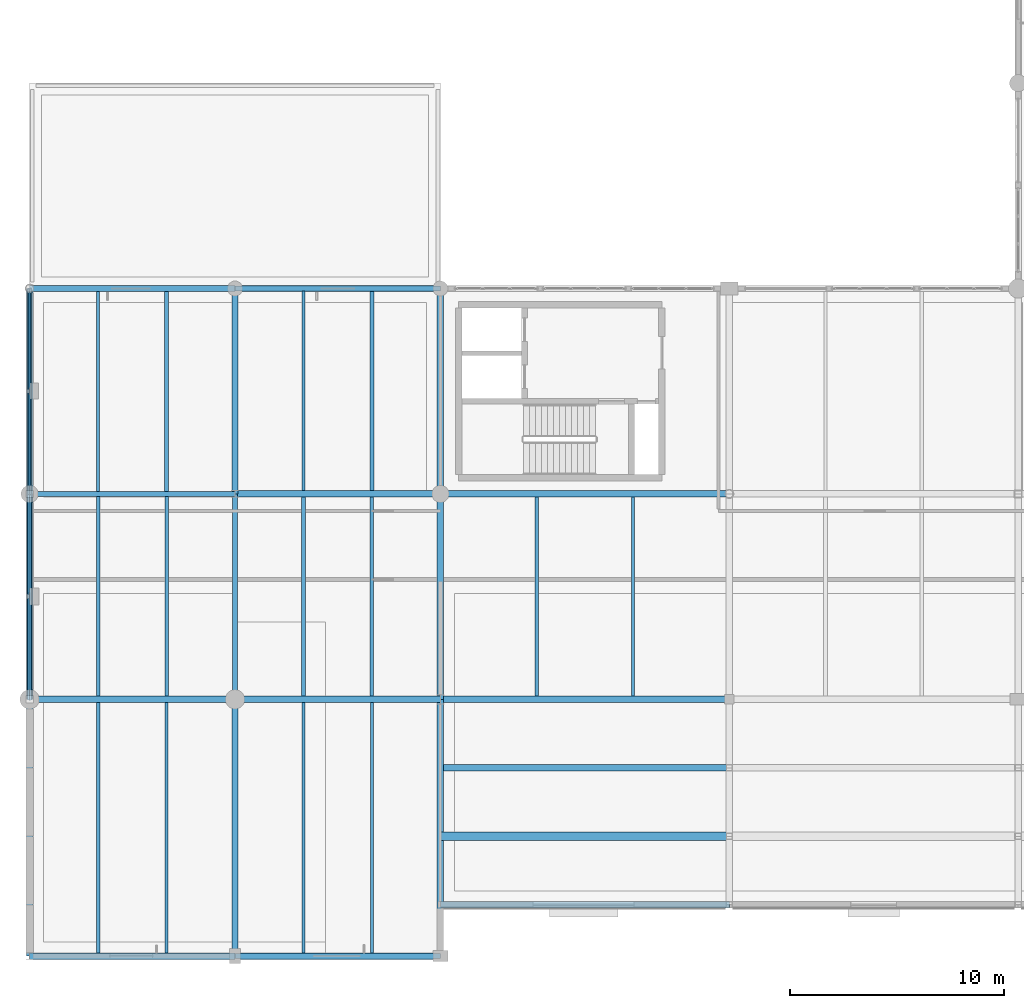
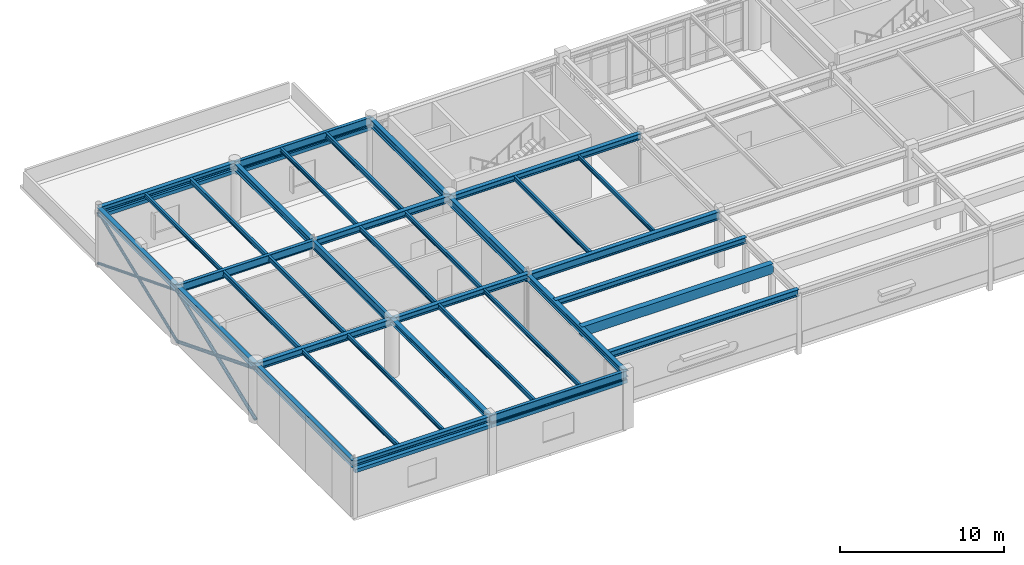
# One storey, part 6 of 61: 40 beams, 6 members.
"""IFC4 building model written with IfcOpenShell, lengths in metres."""

from ifc_helpers import new_model, si_unit, direction, frame, origin, origin_2d, place, context, subcontext, project, spatial, rectangle, hollow_circle, i_section, extrude, material, material_profile, profile_set, type_object, element, save


model = new_model("IFC4")

# Units and contexts
model_context = context("Model", 3, precision=1e-05, world=origin(), true_north=direction((0.0, 1.0)))
body_context = subcontext(model_context, "Body", "Model", "MODEL_VIEW")
ifc_project = project(units=[si_unit("LENGTHUNIT", "METRE"), si_unit("AREAUNIT", "SQUARE_METRE"), si_unit("VOLUMEUNIT", "CUBIC_METRE"), si_unit("PLANEANGLEUNIT", "RADIAN"), si_unit("MASSUNIT", "GRAM", prefix="KILO")], contexts=[model_context])

# Site, building, storey
site_placement = place(None, origin())
site = spatial("IfcSite", under=ifc_project, at=site_placement, CompositionType="ELEMENT")
building_placement = place(site_placement, origin())
building = spatial("IfcBuilding", under=site, at=building_placement, Name="Fikremerkos Civic Library", CompositionType="ELEMENT")
storey_placement = place(building_placement, frame((0.0, 0.0, 14.39990234375)))
storey = spatial("IfcBuildingStorey", under=building, at=storey_placement, Name="L03", CompositionType="ELEMENT", Elevation=14.39990234375)

# Members
ifc_material_1 = material(Name="Steel S355", Category="steel")
ifc_material_profile_1 = material_profile(ifc_material_1, hollow_circle(Radius=0.122314453125, WallThickness=0.012451171875, at=origin_2d()), Name="CHS 244.5x12.5")
ifc_profile_set_1 = profile_set([ifc_material_profile_1], Name="Steel S355")
member_type_1 = type_object("IfcMemberType", Name="Diagonal brace BRC-04 CHS 244.5x12.5", PredefinedType="BRACE", material=ifc_profile_set_1)
member_1_placement = place(storey_placement, frame((0.0, 12.0, 0.0), z_axis=(0.0, 0.930137787751, 0.367210696736), x_axis=(-1.0, 0.0, 0.0)))
element("IfcMember", 1, at=member_1_placement, inside=storey, type_object=member_type_1, Name="Lateral X-brace continuous diagonal BRC-04 L03 #11", PredefinedType="BRACE", context=body_context, shape_type="SweptSolid", body=[
    extrude(hollow_circle(Radius=0.122314453125, WallThickness=0.012451171875, at=origin_2d()), origin(), (0.0, 0.0, 1.0), 10.321044921875),
])
for number, where, z_axis, x_axis, name in (
    (2, (0.0, 21.60009765625, 0.0), (0.0, -0.930140797777, 0.367203072307), (1.0, 0.0, 0.0), "Lateral X-brace split lower segment BRC-04 L03 #11"),
    (3, (0.0, 16.669677734375, 1.946533203125), (0.0, -0.930140797777, 0.367203072307), (1.0, 0.0, 0.0), "Lateral X-brace split upper segment BRC-04 L03 #11"),
):
    element("IfcMember", number, at=place(storey_placement, frame(where, z_axis=z_axis, x_axis=x_axis)), inside=storey, type_object=member_type_1, Name=name, PredefinedType="BRACE", context=body_context, shape_type="SweptSolid", body=[
        extrude(hollow_circle(Radius=0.122314453125, WallThickness=0.012451171875, at=origin_2d()), origin(), (0.0, 0.0, 1.0), 5.0205078125),
    ])
ifc_material_profile_2 = material_profile(ifc_material_1, hollow_circle(Radius=0.096923828125, WallThickness=0.010009765625, at=origin_2d()), Name="CHS 193.7x10")
ifc_profile_set_2 = profile_set([ifc_material_profile_2], Name="Steel S355")
member_type_2 = type_object("IfcMemberType", Name="Diagonal brace BRC-05 CHS 193.7x10", PredefinedType="BRACE", material=ifc_profile_set_2)
member_2_placement = place(storey_placement, frame((0.0, 21.60009765625, 0.0), z_axis=(0.0, 0.930134598001, 0.36721877621), x_axis=(-1.0, 0.0, 0.0)))
element("IfcMember", 4, at=member_2_placement, inside=storey, type_object=member_type_2, Name="Lateral X-brace continuous diagonal BRC-05 L03 #12", PredefinedType="BRACE", context=body_context, shape_type="SweptSolid", body=[
    extrude(hollow_circle(Radius=0.096923828125, WallThickness=0.010009765625, at=origin_2d()), origin(), (0.0, 0.0, 1.0), 10.321044921875),
])
for number, where, z_axis, x_axis, name in (
    (5, (0.0, 31.199951171875, 0.0), (0.0, -0.930122602824, 0.367249157542), (1.0, 0.0, 0.0), "Lateral X-brace split lower segment BRC-05 L03 #12"),
    (6, (0.0, 26.293212890625, 1.937255859375), (0.0, -0.930139130166, 0.367207296407), (1.0, 0.0, 0.0), "Lateral X-brace split upper segment BRC-05 L03 #12"),
):
    element("IfcMember", number, at=place(storey_placement, frame(where, z_axis=z_axis, x_axis=x_axis)), inside=storey, type_object=member_type_2, Name=name, PredefinedType="BRACE", context=body_context, shape_type="SweptSolid", body=[
        extrude(hollow_circle(Radius=0.096923828125, WallThickness=0.010009765625, at=origin_2d()), origin(), (0.0, 0.0, 1.0), 5.045654296875),
    ])

# Beams
ifc_material_profile_3 = material_profile(ifc_material_1, i_section(OverallWidth=0.169921875, OverallDepth=0.360107421875, WebThickness=0.008056640625, FlangeThickness=0.0126953125, FilletRadius=0.01806640625, at=origin_2d()), Name="IPE 360")
ifc_profile_set_3 = profile_set([ifc_material_profile_3], Name="Steel S355")
beam_type_1 = type_object("IfcBeamType", Name="Floor joist JS-09 IPE 360", PredefinedType="JOIST", material=ifc_profile_set_3)
for number, where, z_axis, x_axis, name in (
    (7, (3.199951171875, 12.14990234375, 4.06005859375), (0.0, 1.0, 0.0), (-1.0, 0.0, 0.0), "Floor joist JS-09 L03 #526"),
    (8, (6.39990234375, 21.7099609375, 4.06005859375), (0.0, 1.0, 0.0), (-1.0, 0.0, 0.0), "Floor joist JS-09 L03 #529"),
):
    element("IfcBeam", number, at=place(storey_placement, frame(where, z_axis=z_axis, x_axis=x_axis)), inside=storey, type_object=beam_type_1, Name=name, PredefinedType="JOIST", context=body_context, shape_type="SweptSolid", body=[
        extrude(i_section(OverallWidth=0.169921875, OverallDepth=0.360107421875, WebThickness=0.008056640625, FlangeThickness=0.0126953125, FilletRadius=0.01806640625, at=origin_2d()), origin(), (0.0, 0.0, 1.0), 9.340087890625),
    ])
beam_1_placement = place(storey_placement, frame((12.800048828125, 12.14990234375, 4.06005859375), z_axis=(0.0, 1.0, 0.0), x_axis=(-1.0, 0.0, 0.0)))
element("IfcBeam", 9, at=beam_1_placement, inside=storey, type_object=beam_type_1, Name="Floor joist JS-09 L03 #532", PredefinedType="JOIST", context=body_context, shape_type="SweptSolid", body=[
    extrude(i_section(OverallWidth=0.169921875, OverallDepth=0.360107421875, WebThickness=0.008056640625, FlangeThickness=0.0126953125, FilletRadius=0.01806640625, at=origin_2d()), origin(), (0.0, 0.0, 1.0), 9.300048828125),
])
beam_2_placement = place(storey_placement, frame((16.0, 21.75, 4.06005859375), z_axis=(0.0, 1.0, 0.0), x_axis=(-1.0, 0.0, 0.0)))
element("IfcBeam", 10, at=beam_2_placement, inside=storey, type_object=beam_type_1, Name="Floor joist JS-09 L03 #535", PredefinedType="JOIST", context=body_context, shape_type="SweptSolid", body=[
    extrude(i_section(OverallWidth=0.169921875, OverallDepth=0.360107421875, WebThickness=0.008056640625, FlangeThickness=0.0126953125, FilletRadius=0.01806640625, at=origin_2d()), origin(), (0.0, 0.0, 1.0), 9.340087890625),
])
ifc_material_profile_4 = material_profile(ifc_material_1, i_section(OverallWidth=0.159912109375, OverallDepth=0.330078125, WebThickness=0.007568359375, FlangeThickness=0.011474609375, FilletRadius=0.01806640625, at=origin_2d()), Name="IPE 330")
ifc_profile_set_4 = profile_set([ifc_material_profile_4], Name="Steel S355")
beam_type_2 = type_object("IfcBeamType", Name="Floor joist JS-10 IPE 330", PredefinedType="JOIST", material=ifc_profile_set_4)
beam_3_placement = place(storey_placement, frame((3.199951171875, 0.14990234375, 4.09521484375), z_axis=(0.0, 1.0, 0.0), x_axis=(-1.0, 0.0, 0.0)))
element("IfcBeam", 11, at=beam_3_placement, inside=storey, type_object=beam_type_2, Name="Floor joist JS-10 L03 #524", PredefinedType="JOIST", context=body_context, shape_type="SweptSolid", body=[
    extrude(i_section(OverallWidth=0.159912109375, OverallDepth=0.330078125, WebThickness=0.007568359375, FlangeThickness=0.011474609375, FilletRadius=0.01806640625, at=origin_2d()), origin(), (0.0, 0.0, 1.0), 11.7001953125),
])
beam_4_placement = place(storey_placement, frame((6.39990234375, 12.14990234375, 4.0751953125), z_axis=(0.0, 1.0, 0.0), x_axis=(-1.0, 0.0, 0.0)))
element("IfcBeam", 12, at=beam_4_placement, inside=storey, type_object=beam_type_2, Name="Floor joist JS-10 L03 #527", PredefinedType="JOIST", context=body_context, shape_type="SweptSolid", body=[
    extrude(i_section(OverallWidth=0.159912109375, OverallDepth=0.330078125, WebThickness=0.007568359375, FlangeThickness=0.011474609375, FilletRadius=0.01806640625, at=origin_2d()), origin(), (0.0, 0.0, 1.0), 9.340087890625),
])
beam_5_placement = place(storey_placement, frame((12.800048828125, 0.110107421875, 4.09521484375), z_axis=(0.0, 1.0, 0.0), x_axis=(-1.0, 0.0, 0.0)))
element("IfcBeam", 13, at=beam_5_placement, inside=storey, type_object=beam_type_2, Name="Floor joist JS-10 L03 #530", PredefinedType="JOIST", context=body_context, shape_type="SweptSolid", body=[
    extrude(i_section(OverallWidth=0.159912109375, OverallDepth=0.330078125, WebThickness=0.007568359375, FlangeThickness=0.011474609375, FilletRadius=0.01806640625, at=origin_2d()), origin(), (0.0, 0.0, 1.0), 11.739990234375),
])
for number, where, z_axis, x_axis, name in (
    (14, (16.0, 12.14990234375, 4.0751953125), (0.0, 1.0, 0.0), (-1.0, 0.0, 0.0), "Floor joist JS-10 L03 #533"),
    (15, (23.699951171875, 12.14990234375, 3.9951171875), (0.0, 1.0, 0.0), (-1.0, 0.0, 0.0), "Floor joist JS-10 L03 #536"),
):
    element("IfcBeam", number, at=place(storey_placement, frame(where, z_axis=z_axis, x_axis=x_axis)), inside=storey, type_object=beam_type_2, Name=name, PredefinedType="JOIST", context=body_context, shape_type="SweptSolid", body=[
        extrude(i_section(OverallWidth=0.159912109375, OverallDepth=0.330078125, WebThickness=0.007568359375, FlangeThickness=0.011474609375, FilletRadius=0.01806640625, at=origin_2d()), origin(), (0.0, 0.0, 1.0), 9.300048828125),
    ])
ifc_material_profile_5 = material_profile(ifc_material_1, i_section(OverallWidth=0.14990234375, OverallDepth=0.300048828125, WebThickness=0.007080078125, FlangeThickness=0.0107421875, FilletRadius=0.014892578125, at=origin_2d()), Name="IPE 300")
ifc_profile_set_5 = profile_set([ifc_material_profile_5], Name="Steel S355")
beam_type_3 = type_object("IfcBeamType", Name="Floor joist JS-11 IPE 300", PredefinedType="JOIST", material=ifc_profile_set_5)
beam_6_placement = place(storey_placement, frame((6.39990234375, 0.14990234375, 4.110107421875), z_axis=(0.0, 1.0, 0.0), x_axis=(-1.0, 0.0, 0.0)))
element("IfcBeam", 16, at=beam_6_placement, inside=storey, type_object=beam_type_3, Name="Floor joist JS-11 L03 #525", PredefinedType="JOIST", context=body_context, shape_type="SweptSolid", body=[
    extrude(i_section(OverallWidth=0.14990234375, OverallDepth=0.300048828125, WebThickness=0.007080078125, FlangeThickness=0.0107421875, FilletRadius=0.014892578125, at=origin_2d()), origin(), (0.0, 0.0, 1.0), 11.7001953125),
])
beam_7_placement = place(storey_placement, frame((3.199951171875, 21.7099609375, 4.090087890625), z_axis=(0.0, 1.0, 0.0), x_axis=(-1.0, 0.0, 0.0)))
element("IfcBeam", 17, at=beam_7_placement, inside=storey, type_object=beam_type_3, Name="Floor joist JS-11 L03 #528", PredefinedType="JOIST", context=body_context, shape_type="SweptSolid", body=[
    extrude(i_section(OverallWidth=0.14990234375, OverallDepth=0.300048828125, WebThickness=0.007080078125, FlangeThickness=0.0107421875, FilletRadius=0.014892578125, at=origin_2d()), origin(), (0.0, 0.0, 1.0), 9.340087890625),
])
beam_8_placement = place(storey_placement, frame((16.0, 0.110107421875, 4.110107421875), z_axis=(0.0, 1.0, 0.0), x_axis=(-1.0, 0.0, 0.0)))
element("IfcBeam", 18, at=beam_8_placement, inside=storey, type_object=beam_type_3, Name="Floor joist JS-11 L03 #531", PredefinedType="JOIST", context=body_context, shape_type="SweptSolid", body=[
    extrude(i_section(OverallWidth=0.14990234375, OverallDepth=0.300048828125, WebThickness=0.007080078125, FlangeThickness=0.0107421875, FilletRadius=0.014892578125, at=origin_2d()), origin(), (0.0, 0.0, 1.0), 11.739990234375),
])
beam_9_placement = place(storey_placement, frame((12.800048828125, 21.75, 4.090087890625), z_axis=(0.0, 1.0, 0.0), x_axis=(-1.0, 0.0, 0.0)))
element("IfcBeam", 19, at=beam_9_placement, inside=storey, type_object=beam_type_3, Name="Floor joist JS-11 L03 #534", PredefinedType="JOIST", context=body_context, shape_type="SweptSolid", body=[
    extrude(i_section(OverallWidth=0.14990234375, OverallDepth=0.300048828125, WebThickness=0.007080078125, FlangeThickness=0.0107421875, FilletRadius=0.014892578125, at=origin_2d()), origin(), (0.0, 0.0, 1.0), 9.340087890625),
])
beam_10_placement = place(storey_placement, frame((28.199951171875, 12.14990234375, 4.010009765625), z_axis=(0.0, 1.0, 0.0), x_axis=(-1.0, 0.0, 0.0)))
element("IfcBeam", 20, at=beam_10_placement, inside=storey, type_object=beam_type_3, Name="Floor joist JS-11 L03 #537", PredefinedType="JOIST", context=body_context, shape_type="SweptSolid", body=[
    extrude(i_section(OverallWidth=0.14990234375, OverallDepth=0.300048828125, WebThickness=0.007080078125, FlangeThickness=0.0107421875, FilletRadius=0.014892578125, at=origin_2d()), origin(), (0.0, 0.0, 1.0), 9.300048828125),
])
ifc_material_2 = material(Name="Concrete C40/50", Category="concrete")
ifc_material_profile_6 = material_profile(ifc_material_2, rectangle(XDim=0.300048828125, YDim=0.260009765625, at=origin_2d()), Name="RC 300x260")
ifc_profile_set_6 = profile_set([ifc_material_profile_6], Name="Concrete C40/50")
beam_type_4 = type_object("IfcBeamType", Name="Opening lintel LNT-02 RC 300x260", PredefinedType="LINTEL", material=ifc_profile_set_6)
beam_11_placement = place(storey_placement, frame((19.199951171875, 0.0, 3.5), z_axis=(-1.0, 0.0, 0.0), x_axis=(0.0, -1.0, 0.0)))
element("IfcBeam", 21, at=beam_11_placement, inside=storey, type_object=beam_type_4, Name="Courtyard window head lintel LNT-02 L03 #34", PredefinedType="LINTEL", context=body_context, shape_type="SweptSolid", body=[
    extrude(rectangle(XDim=0.300048828125, YDim=0.260009765625, at=origin_2d()), origin(), (0.0, 0.0, 1.0), 9.599853515625),
])
for number, where, z_axis, x_axis, name in (
    (22, (9.60009765625, 0.0, 3.5), (-1.0, 0.0, 0.0), (0.0, -1.0, 0.0), "Courtyard window head lintel LNT-02 L03 #35"),
    (23, (0.0, 31.199951171875, 3.580078125), (1.0, 0.0, 0.0), (0.0, 1.0, 0.0), "Courtyard window head lintel LNT-02 L03 #36"),
):
    element("IfcBeam", number, at=place(storey_placement, frame(where, z_axis=z_axis, x_axis=x_axis)), inside=storey, type_object=beam_type_4, Name=name, PredefinedType="LINTEL", context=body_context, shape_type="SweptSolid", body=[
        extrude(rectangle(XDim=0.300048828125, YDim=0.260009765625, at=origin_2d()), origin(), (0.0, 0.0, 1.0), 9.60009765625),
    ])
beam_12_placement = place(storey_placement, frame((9.60009765625, 31.199951171875, 3.4501953125), z_axis=(1.0, 0.0, 0.0), x_axis=(0.0, 1.0, 0.0)))
element("IfcBeam", 24, at=beam_12_placement, inside=storey, type_object=beam_type_4, Name="Courtyard window head lintel LNT-02 L03 #37", PredefinedType="LINTEL", context=body_context, shape_type="SweptSolid", body=[
    extrude(rectangle(XDim=0.300048828125, YDim=0.260009765625, at=origin_2d()), origin(), (0.0, 0.0, 1.0), 9.599853515625),
])
ifc_material_profile_7 = material_profile(ifc_material_1, i_section(OverallWidth=0.300048828125, OverallDepth=0.60009765625, WebThickness=0.015380859375, FlangeThickness=0.030029296875, FilletRadius=0.027099609375, at=origin_2d()), Name="HEB 600")
ifc_profile_set_7 = profile_set([ifc_material_profile_7], Name="Steel S355")
beam_type_5 = type_object("IfcBeamType", Name="Primary girder BM-13 HEB 600", PredefinedType="BEAM", material=ifc_profile_set_7)
beam_13_placement = place(storey_placement, frame((19.199951171875, 12.0, 3.860107421875), z_axis=(1.0, 0.0, 0.0), x_axis=(0.0, 1.0, 0.0)))
element("IfcBeam", 25, at=beam_13_placement, inside=storey, type_object=beam_type_5, Name="Primary girder BM-13 L03 grid E", PredefinedType="BEAM", context=body_context, shape_type="SweptSolid", body=[
    extrude(i_section(OverallWidth=0.300048828125, OverallDepth=0.60009765625, WebThickness=0.015380859375, FlangeThickness=0.030029296875, FilletRadius=0.027099609375, at=origin_2d()), origin(), (0.0, 0.0, 1.0), 13.5),
])
beam_14_placement = place(storey_placement, frame((19.199951171875, 12.0, 3.860107421875), z_axis=(0.0, 1.0, 0.0), x_axis=(-1.0, 0.0, 0.0)))
element("IfcBeam", 26, at=beam_14_placement, inside=storey, type_object=beam_type_5, Name="Primary girder BM-13 L03 grid 3", PredefinedType="BEAM", context=body_context, shape_type="SweptSolid", body=[
    extrude(i_section(OverallWidth=0.300048828125, OverallDepth=0.60009765625, WebThickness=0.015380859375, FlangeThickness=0.030029296875, FilletRadius=0.027099609375, at=origin_2d()), origin(), (0.0, 0.0, 1.0), 9.60009765625),
])
ifc_material_profile_8 = material_profile(ifc_material_1, i_section(OverallWidth=0.300048828125, OverallDepth=0.550048828125, WebThickness=0.014892578125, FlangeThickness=0.029052734375, FilletRadius=0.027099609375, at=origin_2d()), Name="HEB 550")
ifc_profile_set_8 = profile_set([ifc_material_profile_8], Name="Steel S355")
beam_type_6 = type_object("IfcBeamType", Name="Primary girder BM-14 HEB 550", PredefinedType="BEAM", material=ifc_profile_set_8)
beam_15_placement = place(storey_placement, frame((19.199951171875, 21.60009765625, 3.885009765625), z_axis=(0.0, 1.0, 0.0), x_axis=(-1.0, 0.0, 0.0)))
element("IfcBeam", 27, at=beam_15_placement, inside=storey, type_object=beam_type_6, Name="Primary girder BM-14 L03 grid 3", PredefinedType="BEAM", context=body_context, shape_type="SweptSolid", body=[
    extrude(i_section(OverallWidth=0.300048828125, OverallDepth=0.550048828125, WebThickness=0.014892578125, FlangeThickness=0.029052734375, FilletRadius=0.027099609375, at=origin_2d()), origin(), (0.0, 0.0, 1.0), 9.599853515625),
])
ifc_material_profile_9 = material_profile(ifc_material_1, i_section(OverallWidth=0.300048828125, OverallDepth=0.5400390625, WebThickness=0.012451171875, FlangeThickness=0.02392578125, FilletRadius=0.027099609375, at=origin_2d()), Name="HEA 550")
ifc_profile_set_9 = profile_set([ifc_material_profile_9], Name="Steel S355")
beam_type_7 = type_object("IfcBeamType", Name="Primary girder BM-16 HEA 550", PredefinedType="BEAM", material=ifc_profile_set_9)
beam_16_placement = place(storey_placement, frame((0.0, 0.0, 3.989990234375), z_axis=(0.0, 1.0, 0.0), x_axis=(-1.0, 0.0, 0.0)))
element("IfcBeam", 28, at=beam_16_placement, inside=storey, type_object=beam_type_7, Name="Primary girder BM-16 L03 grid 1", PredefinedType="BEAM", context=body_context, shape_type="SweptSolid", body=[
    extrude(i_section(OverallWidth=0.300048828125, OverallDepth=0.5400390625, WebThickness=0.012451171875, FlangeThickness=0.02392578125, FilletRadius=0.027099609375, at=origin_2d()), origin(), (0.0, 0.0, 1.0), 12.0),
])
ifc_material_profile_10 = material_profile(ifc_material_1, i_section(OverallWidth=0.300048828125, OverallDepth=0.489990234375, WebThickness=0.011962890625, FlangeThickness=0.02294921875, FilletRadius=0.027099609375, at=origin_2d()), Name="HEA 500")
ifc_profile_set_10 = profile_set([ifc_material_profile_10], Name="Steel S355")
beam_type_8 = type_object("IfcBeamType", Name="Primary girder BM-17 HEA 500", PredefinedType="BEAM", material=ifc_profile_set_10)
beam_17_placement = place(storey_placement, frame((0.0, 12.0, 3.9951171875), z_axis=(0.0, 1.0, 0.0), x_axis=(-1.0, 0.0, 0.0)))
element("IfcBeam", 29, at=beam_17_placement, inside=storey, type_object=beam_type_8, Name="Primary girder BM-17 L03 grid 1", PredefinedType="BEAM", context=body_context, shape_type="SweptSolid", body=[
    extrude(i_section(OverallWidth=0.300048828125, OverallDepth=0.489990234375, WebThickness=0.011962890625, FlangeThickness=0.02294921875, FilletRadius=0.027099609375, at=origin_2d()), origin(), (0.0, 0.0, 1.0), 9.60009765625),
])
ifc_material_profile_11 = material_profile(ifc_material_1, i_section(OverallWidth=0.300048828125, OverallDepth=0.43994140625, WebThickness=0.011474609375, FlangeThickness=0.02099609375, FilletRadius=0.027099609375, at=origin_2d()), Name="HEA 450")
ifc_profile_set_11 = profile_set([ifc_material_profile_11], Name="Steel S355")
beam_type_9 = type_object("IfcBeamType", Name="Primary girder BM-18 HEA 450", PredefinedType="BEAM", material=ifc_profile_set_11)
beam_18_placement = place(storey_placement, frame((0.0, 21.60009765625, 4.02001953125), z_axis=(0.0, 1.0, 0.0), x_axis=(-1.0, 0.0, 0.0)))
element("IfcBeam", 30, at=beam_18_placement, inside=storey, type_object=beam_type_9, Name="Primary girder BM-18 L03 grid 1", PredefinedType="BEAM", context=body_context, shape_type="SweptSolid", body=[
    extrude(i_section(OverallWidth=0.300048828125, OverallDepth=0.43994140625, WebThickness=0.011474609375, FlangeThickness=0.02099609375, FilletRadius=0.027099609375, at=origin_2d()), origin(), (0.0, 0.0, 1.0), 9.599853515625),
])
ifc_material_profile_12 = material_profile(ifc_material_1, i_section(OverallWidth=0.300048828125, OverallDepth=0.389892578125, WebThickness=0.010986328125, FlangeThickness=0.01904296875, FilletRadius=0.027099609375, at=origin_2d()), Name="HEA 400")
ifc_profile_set_12 = profile_set([ifc_material_profile_12], Name="Steel S355")
beam_type_10 = type_object("IfcBeamType", Name="Primary girder BM-19 HEA 400", PredefinedType="BEAM", material=ifc_profile_set_12)
for number, where, z_axis, x_axis, name in (
    (31, (0.0, 0.0, 4.065185546875), (1.0, 0.0, 0.0), (0.0, 1.0, 0.0), "Primary girder BM-19 L03 grid A"),
    (32, (0.0, 31.199951171875, 4.045166015625), (1.0, 0.0, 0.0), (0.0, 1.0, 0.0), "Primary girder BM-19 L03 grid G"),
):
    element("IfcBeam", number, at=place(storey_placement, frame(where, z_axis=z_axis, x_axis=x_axis)), inside=storey, type_object=beam_type_10, Name=name, PredefinedType="BEAM", context=body_context, shape_type="SweptSolid", body=[
        extrude(i_section(OverallWidth=0.300048828125, OverallDepth=0.389892578125, WebThickness=0.010986328125, FlangeThickness=0.01904296875, FilletRadius=0.027099609375, at=origin_2d()), origin(), (0.0, 0.0, 1.0), 9.60009765625),
    ])
beam_19_placement = place(storey_placement, frame((9.60009765625, 0.0, 4.065185546875), z_axis=(0.0, 1.0, 0.0), x_axis=(-1.0, 0.0, 0.0)))
element("IfcBeam", 33, at=beam_19_placement, inside=storey, type_object=beam_type_10, Name="Primary girder BM-19 L03 grid 2", PredefinedType="BEAM", context=body_context, shape_type="SweptSolid", body=[
    extrude(i_section(OverallWidth=0.300048828125, OverallDepth=0.389892578125, WebThickness=0.010986328125, FlangeThickness=0.01904296875, FilletRadius=0.027099609375, at=origin_2d()), origin(), (0.0, 0.0, 1.0), 12.0),
])
ifc_material_profile_13 = material_profile(ifc_material_1, i_section(OverallWidth=0.219970703125, OverallDepth=0.60009765625, WebThickness=0.011962890625, FlangeThickness=0.01904296875, FilletRadius=0.02392578125, at=origin_2d()), Name="IPE 600")
ifc_profile_set_13 = profile_set([ifc_material_profile_13], Name="Steel S355")
beam_type_11 = type_object("IfcBeamType", Name="Primary girder BM-20 IPE 600", PredefinedType="BEAM", material=ifc_profile_set_13)
beam_20_placement = place(storey_placement, frame((9.60009765625, 0.0, 3.960205078125), z_axis=(1.0, 0.0, 0.0), x_axis=(0.0, 1.0, 0.0)))
element("IfcBeam", 34, at=beam_20_placement, inside=storey, type_object=beam_type_11, Name="Primary girder BM-20 L03 grid A", PredefinedType="BEAM", context=body_context, shape_type="SweptSolid", body=[
    extrude(i_section(OverallWidth=0.219970703125, OverallDepth=0.60009765625, WebThickness=0.011962890625, FlangeThickness=0.01904296875, FilletRadius=0.02392578125, at=origin_2d()), origin(), (0.0, 0.0, 1.0), 9.599853515625),
])
beam_21_placement = place(storey_placement, frame((0.0, 21.60009765625, 3.940185546875), z_axis=(1.0, 0.0, 0.0), x_axis=(0.0, 1.0, 0.0)))
element("IfcBeam", 35, at=beam_21_placement, inside=storey, type_object=beam_type_11, Name="Primary girder BM-20 L03 grid F", PredefinedType="BEAM", context=body_context, shape_type="SweptSolid", body=[
    extrude(i_section(OverallWidth=0.219970703125, OverallDepth=0.60009765625, WebThickness=0.011962890625, FlangeThickness=0.01904296875, FilletRadius=0.02392578125, at=origin_2d()), origin(), (0.0, 0.0, 1.0), 9.60009765625),
])
beam_22_placement = place(storey_placement, frame((9.60009765625, 31.199951171875, 3.940185546875), z_axis=(1.0, 0.0, 0.0), x_axis=(0.0, 1.0, 0.0)))
element("IfcBeam", 36, at=beam_22_placement, inside=storey, type_object=beam_type_11, Name="Primary girder BM-20 L03 grid G", PredefinedType="BEAM", context=body_context, shape_type="SweptSolid", body=[
    extrude(i_section(OverallWidth=0.219970703125, OverallDepth=0.60009765625, WebThickness=0.011962890625, FlangeThickness=0.01904296875, FilletRadius=0.02392578125, at=origin_2d()), origin(), (0.0, 0.0, 1.0), 9.599853515625),
])
beam_23_placement = place(storey_placement, frame((9.60009765625, 12.0, 3.940185546875), z_axis=(0.0, 1.0, 0.0), x_axis=(-1.0, 0.0, 0.0)))
element("IfcBeam", 37, at=beam_23_placement, inside=storey, type_object=beam_type_11, Name="Primary girder BM-20 L03 grid 2", PredefinedType="BEAM", context=body_context, shape_type="SweptSolid", body=[
    extrude(i_section(OverallWidth=0.219970703125, OverallDepth=0.60009765625, WebThickness=0.011962890625, FlangeThickness=0.01904296875, FilletRadius=0.02392578125, at=origin_2d()), origin(), (0.0, 0.0, 1.0), 9.60009765625),
])
ifc_material_profile_14 = material_profile(ifc_material_1, i_section(OverallWidth=0.300048828125, OverallDepth=0.5, WebThickness=0.014404296875, FlangeThickness=0.028076171875, FilletRadius=0.027099609375, at=origin_2d()), Name="HEB 500")
ifc_profile_set_14 = profile_set([ifc_material_profile_14], Name="Steel S355")
beam_type_12 = type_object("IfcBeamType", Name="Primary girder BM-22 HEB 500", PredefinedType="BEAM", material=ifc_profile_set_14)
beam_24_placement = place(storey_placement, frame((0.0, 12.0, 3.989990234375), z_axis=(1.0, 0.0, 0.0), x_axis=(0.0, 1.0, 0.0)))
element("IfcBeam", 38, at=beam_24_placement, inside=storey, type_object=beam_type_12, Name="Primary girder BM-22 L03 grid E", PredefinedType="BEAM", context=body_context, shape_type="SweptSolid", body=[
    extrude(i_section(OverallWidth=0.300048828125, OverallDepth=0.5, WebThickness=0.014404296875, FlangeThickness=0.028076171875, FilletRadius=0.027099609375, at=origin_2d()), origin(), (0.0, 0.0, 1.0), 9.60009765625),
])
for number, where, z_axis, x_axis, name in (
    (39, (9.60009765625, 21.60009765625, 3.989990234375), (1.0, 0.0, 0.0), (0.0, 1.0, 0.0), "Primary girder BM-22 L03 grid F"),
    (40, (9.60009765625, 21.60009765625, 3.989990234375), (0.0, 1.0, 0.0), (-1.0, 0.0, 0.0), "Primary girder BM-22 L03 grid 2"),
):
    element("IfcBeam", number, at=place(storey_placement, frame(where, z_axis=z_axis, x_axis=x_axis)), inside=storey, type_object=beam_type_12, Name=name, PredefinedType="BEAM", context=body_context, shape_type="SweptSolid", body=[
        extrude(i_section(OverallWidth=0.300048828125, OverallDepth=0.5, WebThickness=0.014404296875, FlangeThickness=0.028076171875, FilletRadius=0.027099609375, at=origin_2d()), origin(), (0.0, 0.0, 1.0), 9.599853515625),
    ])
ifc_material_profile_15 = material_profile(ifc_material_1, i_section(OverallWidth=0.300048828125, OverallDepth=0.449951171875, WebThickness=0.013916015625, FlangeThickness=0.02587890625, FilletRadius=0.027099609375, at=origin_2d()), Name="HEB 450")
ifc_profile_set_15 = profile_set([ifc_material_profile_15], Name="Steel S355")
beam_type_13 = type_object("IfcBeamType", Name="Primary girder BM-23 HEB 450", PredefinedType="BEAM", material=ifc_profile_set_15)
beam_25_placement = place(storey_placement, frame((9.60009765625, 12.0, 4.01513671875), z_axis=(1.0, 0.0, 0.0), x_axis=(0.0, 1.0, 0.0)))
element("IfcBeam", 41, at=beam_25_placement, inside=storey, type_object=beam_type_13, Name="Primary girder BM-23 L03 grid E", PredefinedType="BEAM", context=body_context, shape_type="SweptSolid", body=[
    extrude(i_section(OverallWidth=0.300048828125, OverallDepth=0.449951171875, WebThickness=0.013916015625, FlangeThickness=0.02587890625, FilletRadius=0.027099609375, at=origin_2d()), origin(), (0.0, 0.0, 1.0), 9.599853515625),
])
beam_26_placement = place(storey_placement, frame((19.199951171875, 21.60009765625, 3.93505859375), z_axis=(1.0, 0.0, 0.0), x_axis=(0.0, 1.0, 0.0)))
element("IfcBeam", 42, at=beam_26_placement, inside=storey, type_object=beam_type_13, Name="Primary girder BM-23 L03 grid F", PredefinedType="BEAM", context=body_context, shape_type="SweptSolid", body=[
    extrude(i_section(OverallWidth=0.300048828125, OverallDepth=0.449951171875, WebThickness=0.013916015625, FlangeThickness=0.02587890625, FilletRadius=0.027099609375, at=origin_2d()), origin(), (0.0, 0.0, 1.0), 13.5),
])
beam_27_placement = place(storey_placement, frame((19.199951171875, 0.0, 3.93505859375), z_axis=(0.0, 1.0, 0.0), x_axis=(-1.0, 0.0, 0.0)))
element("IfcBeam", 43, at=beam_27_placement, inside=storey, type_object=beam_type_13, Name="Primary girder BM-23 L03 grid 3", PredefinedType="BEAM", context=body_context, shape_type="SweptSolid", body=[
    extrude(i_section(OverallWidth=0.300048828125, OverallDepth=0.449951171875, WebThickness=0.013916015625, FlangeThickness=0.02587890625, FilletRadius=0.027099609375, at=origin_2d()), origin(), (0.0, 0.0, 1.0), 12.0),
])
ifc_material_profile_16 = material_profile(ifc_material_2, rectangle(XDim=0.39990234375, YDim=0.719970703125, at=origin_2d()), Name="RC 400x720")
ifc_profile_set_16 = profile_set([ifc_material_profile_16], Name="Concrete C40/50")
beam_type_14 = type_object("IfcBeamType", Name="Spandrel edge beam SPB-03 RC 400x720", PredefinedType="SPANDREL", material=ifc_profile_set_16)
beam_28_placement = place(storey_placement, frame((19.199951171875, 5.60009765625, 3.800048828125), z_axis=(1.0, 0.0, 0.0), x_axis=(0.0, 1.0, 0.0)))
element("IfcBeam", 44, at=beam_28_placement, inside=storey, type_object=beam_type_14, Name="Spandrel edge beam SPB-03 L03 Y=5.6 bay 1", PredefinedType="SPANDREL", context=body_context, shape_type="SweptSolid", body=[
    extrude(rectangle(XDim=0.39990234375, YDim=0.719970703125, at=origin_2d()), origin(), (0.0, 0.0, 1.0), 13.5),
])
ifc_material_profile_17 = material_profile(ifc_material_1, i_section(OverallWidth=0.300048828125, OverallDepth=0.489990234375, WebThickness=0.011962890625, FlangeThickness=0.02294921875, FilletRadius=0.027099609375, at=origin_2d()), Name="HEA 500")
ifc_profile_set_17 = profile_set([ifc_material_profile_17], Name="Steel S355")
beam_type_15 = type_object("IfcBeamType", Name="Spandrel edge beam SPB-04 HEA 500", PredefinedType="SPANDREL", material=ifc_profile_set_17)
beam_29_placement = place(storey_placement, frame((19.199951171875, 2.39990234375, 3.9150390625), z_axis=(1.0, 0.0, 0.0), x_axis=(0.0, 1.0, 0.0)))
element("IfcBeam", 45, at=beam_29_placement, inside=storey, type_object=beam_type_15, Name="Spandrel edge beam SPB-04 L03 Y=2.4 bay 1", PredefinedType="SPANDREL", context=body_context, shape_type="SweptSolid", body=[
    extrude(i_section(OverallWidth=0.300048828125, OverallDepth=0.489990234375, WebThickness=0.011962890625, FlangeThickness=0.02294921875, FilletRadius=0.027099609375, at=origin_2d()), origin(), (0.0, 0.0, 1.0), 13.5),
])
ifc_material_profile_18 = material_profile(ifc_material_1, i_section(OverallWidth=0.300048828125, OverallDepth=0.43994140625, WebThickness=0.011474609375, FlangeThickness=0.02099609375, FilletRadius=0.027099609375, at=origin_2d()), Name="HEA 450")
ifc_profile_set_18 = profile_set([ifc_material_profile_18], Name="Steel S355")
beam_type_16 = type_object("IfcBeamType", Name="Spandrel edge beam SPB-05 HEA 450", PredefinedType="SPANDREL", material=ifc_profile_set_18)
beam_30_placement = place(storey_placement, frame((19.199951171875, 8.800048828125, 3.940185546875), z_axis=(1.0, 0.0, 0.0), x_axis=(0.0, 1.0, 0.0)))
element("IfcBeam", 46, at=beam_30_placement, inside=storey, type_object=beam_type_16, Name="Spandrel edge beam SPB-05 L03 Y=8.8 bay 1", PredefinedType="SPANDREL", context=body_context, shape_type="SweptSolid", body=[
    extrude(i_section(OverallWidth=0.300048828125, OverallDepth=0.43994140625, WebThickness=0.011474609375, FlangeThickness=0.02099609375, FilletRadius=0.027099609375, at=origin_2d()), origin(), (0.0, 0.0, 1.0), 13.5),
])

save(model, "model.ifc")
